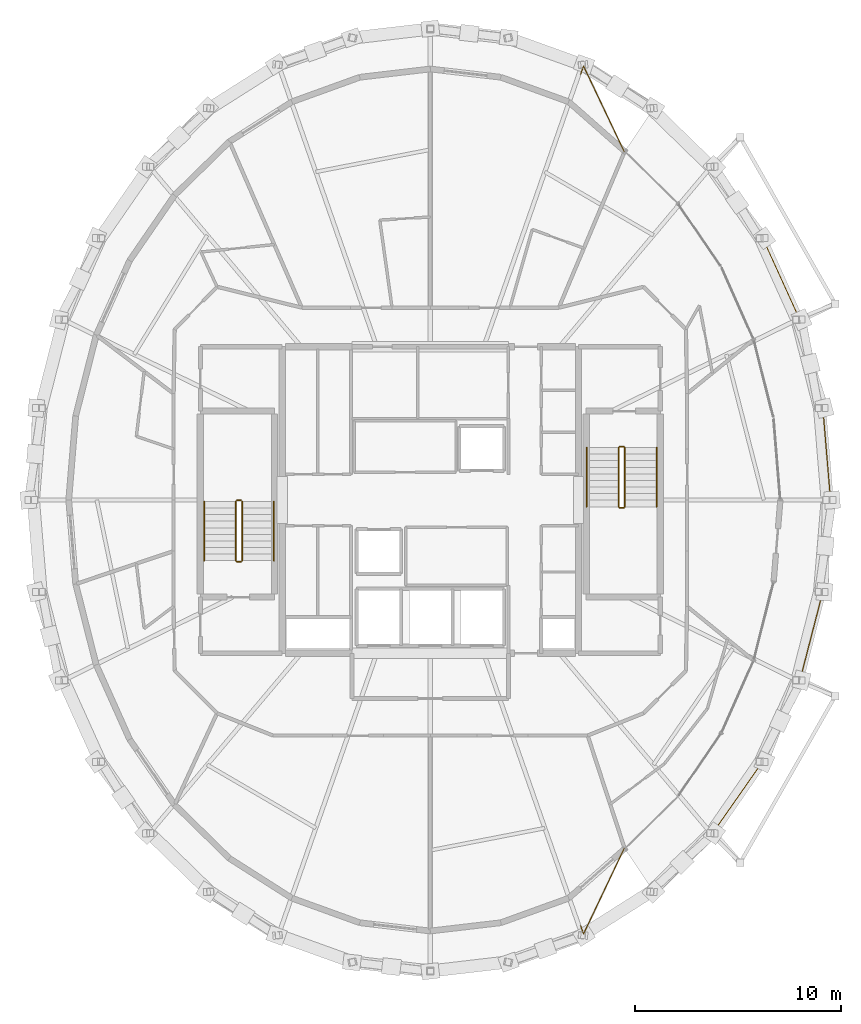
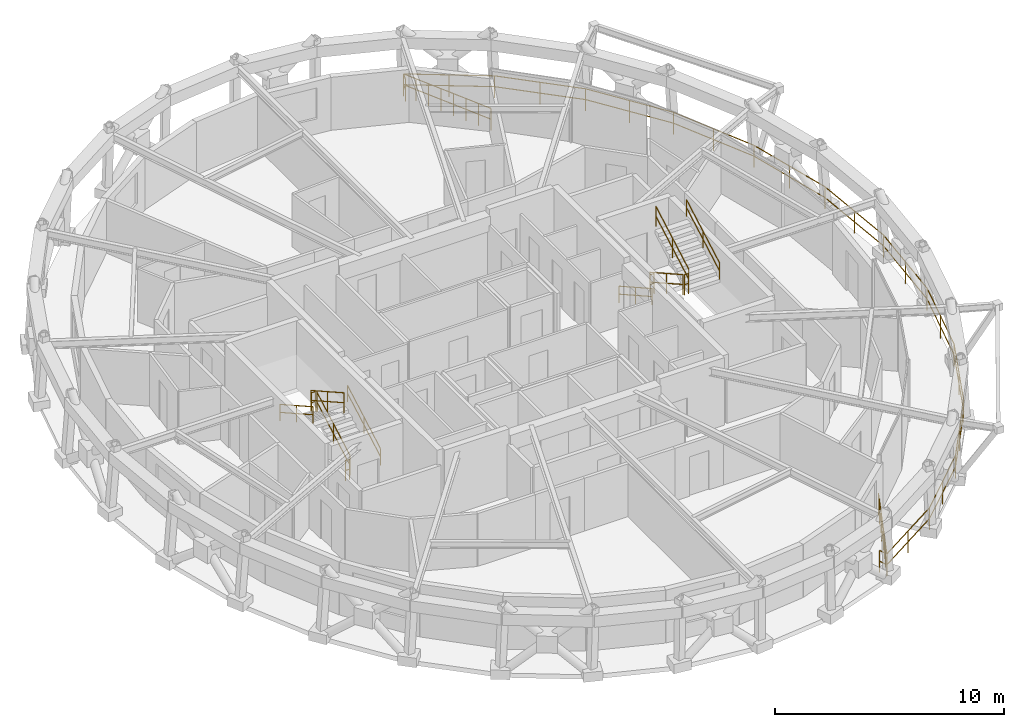
# One storey, part 14 of 14: 15 railings.
"""IFC4 building model written with IfcOpenShell, lengths in metres."""

from ifc_helpers import new_model, si_unit, direction, frame, origin, origin_2d, place, context, subcontext, project, spatial, circle, extrude, material, type_object, element, save


model = new_model("IFC4")

# Units and contexts
model_context = context("Model", 3, precision=1e-05, world=origin(), true_north=direction((0.0, 1.0)))
body_context = subcontext(model_context, "Body", "Model", "MODEL_VIEW")
ifc_project = project(units=[si_unit("LENGTHUNIT", "METRE"), si_unit("AREAUNIT", "SQUARE_METRE"), si_unit("VOLUMEUNIT", "CUBIC_METRE"), si_unit("PLANEANGLEUNIT", "RADIAN"), si_unit("MASSUNIT", "GRAM", prefix="KILO")], contexts=[model_context])

# Site, building, storey
site_placement = place(None, origin())
site = spatial("IfcSite", under=ifc_project, at=site_placement, CompositionType="ELEMENT")
building_placement = place(site_placement, origin())
building = spatial("IfcBuilding", under=site, at=building_placement, Name="Veldorina Hangang Commons", CompositionType="ELEMENT")
storey_placement = place(building_placement, frame((0.0, 0.0, 294.0)))
storey = spatial("IfcBuildingStorey", under=building, at=storey_placement, Name="L77", CompositionType="ELEMENT", Elevation=294.0)

# Railings
ifc_material_1 = material(Name="Glass Laminated Safety Balustrade", Category="glass")
railing_type_1 = type_object("IfcRailingType", Name="RL-BAL-LOGGIA", PredefinedType="BALUSTRADE", material=ifc_material_1)
railing_1_placement = place(storey_placement, frame((39.3095703125, 3.303466796875, 0.0)))
element("IfcRailing", 1, at=railing_1_placement, inside=storey, type_object=railing_type_1, Name="L77 sky-garden loggia end balustrade A", PredefinedType="BALUSTRADE", context=body_context, shape_type="SweptSolid", body=[
    extrude(circle(Radius=0.02392578125, at=origin_2d()), frame((0.0, 0.0, 1.17578125), z_axis=(0.33309376916, -0.94289370607, 0.0), x_axis=(0.94289370607, 0.33309376916, 0.0)), (0.0, 0.0, 1.0), 0.419921875),
    extrude(circle(Radius=0.02392578125, at=origin_2d()), frame((0.0, 0.0, 0.60009765625), z_axis=(0.33309376916, -0.94289370607, 0.0), x_axis=(0.94289370607, 0.33309376916, 0.0)), (0.0, 0.0, 1.0), 0.419921875),
    extrude(circle(Radius=0.02392578125, at=origin_2d()), frame((0.139892578125, -0.39599609375, 1.17578125), z_axis=(0.429562274251, 0.903037237627, 0.0), x_axis=(-0.903037237627, 0.429562274251, 0.0)), (0.0, 0.0, 1.0), 4.6201171875),
    extrude(circle(Radius=0.02392578125, at=origin_2d()), frame((0.139892578125, -0.39599609375, 0.60009765625), z_axis=(0.429562274251, 0.903037237627, 0.0), x_axis=(-0.903037237627, 0.429562274251, 0.0)), (0.0, 0.0, 1.0), 4.6201171875),
    extrude(circle(Radius=0.02099609375, at=origin_2d()), origin(), (0.0, 0.0, 1.0), 1.15185546875),
    extrude(circle(Radius=0.02099609375, at=origin_2d()), frame((0.139892578125, -0.39599609375, 0.0)), (0.0, 0.0, 1.0), 1.15185546875),
    extrude(circle(Radius=0.02099609375, at=origin_2d()), frame((0.42333984375, 0.199951171875, 0.0)), (0.0, 0.0, 1.0), 1.15185546875),
    extrude(circle(Radius=0.02099609375, at=origin_2d()), frame((0.70703125, 0.796142578125, 0.0)), (0.0, 0.0, 1.0), 1.15185546875),
    extrude(circle(Radius=0.02099609375, at=origin_2d()), frame((0.990478515625, 1.39208984375, 0.0)), (0.0, 0.0, 1.0), 1.15185546875),
    extrude(circle(Radius=0.02099609375, at=origin_2d()), frame((1.27392578125, 1.988037109375, 0.0)), (0.0, 0.0, 1.0), 1.15185546875),
    extrude(circle(Radius=0.02099609375, at=origin_2d()), frame((1.557373046875, 2.583984375, 0.0)), (0.0, 0.0, 1.0), 1.15185546875),
    extrude(circle(Radius=0.02099609375, at=origin_2d()), frame((1.841064453125, 3.18017578125, 0.0)), (0.0, 0.0, 1.0), 1.15185546875),
    extrude(circle(Radius=0.02099609375, at=origin_2d()), frame((2.12451171875, 3.776123046875, 0.0)), (0.0, 0.0, 1.0), 1.15185546875),
])
railing_2_placement = place(storey_placement, frame((39.3095703125, 44.696533203125, 0.0)))
element("IfcRailing", 2, at=railing_2_placement, inside=storey, type_object=railing_type_1, Name="L77 sky-garden loggia end balustrade B", PredefinedType="BALUSTRADE", context=body_context, shape_type="SweptSolid", body=[
    extrude(circle(Radius=0.02392578125, at=origin_2d()), frame((0.0, 0.0, 1.17578125), z_axis=(0.33309376916, 0.94289370607, 0.0), x_axis=(-0.94289370607, 0.33309376916, 0.0)), (0.0, 0.0, 1.0), 0.419921875),
    extrude(circle(Radius=0.02392578125, at=origin_2d()), frame((0.0, 0.0, 0.60009765625), z_axis=(0.33309376916, 0.94289370607, 0.0), x_axis=(-0.94289370607, 0.33309376916, 0.0)), (0.0, 0.0, 1.0), 0.419921875),
    extrude(circle(Radius=0.02392578125, at=origin_2d()), frame((0.139892578125, 0.39599609375, 1.17578125), z_axis=(0.429562274251, -0.903037237627, 0.0), x_axis=(0.903037237627, 0.429562274251, 0.0)), (0.0, 0.0, 1.0), 4.6201171875),
    extrude(circle(Radius=0.02392578125, at=origin_2d()), frame((0.139892578125, 0.39599609375, 0.60009765625), z_axis=(0.429562274251, -0.903037237627, 0.0), x_axis=(0.903037237627, 0.429562274251, 0.0)), (0.0, 0.0, 1.0), 4.6201171875),
    extrude(circle(Radius=0.02099609375, at=origin_2d()), origin(), (0.0, 0.0, 1.0), 1.15185546875),
    extrude(circle(Radius=0.02099609375, at=origin_2d()), frame((0.139892578125, 0.39599609375, 0.0)), (0.0, 0.0, 1.0), 1.15185546875),
    extrude(circle(Radius=0.02099609375, at=origin_2d()), frame((0.42333984375, -0.199951171875, 0.0)), (0.0, 0.0, 1.0), 1.15185546875),
    extrude(circle(Radius=0.02099609375, at=origin_2d()), frame((0.70703125, -0.796142578125, 0.0)), (0.0, 0.0, 1.0), 1.15185546875),
    extrude(circle(Radius=0.02099609375, at=origin_2d()), frame((0.990478515625, -1.39208984375, 0.0)), (0.0, 0.0, 1.0), 1.15185546875),
    extrude(circle(Radius=0.02099609375, at=origin_2d()), frame((1.27392578125, -1.988037109375, 0.0)), (0.0, 0.0, 1.0), 1.15185546875),
    extrude(circle(Radius=0.02099609375, at=origin_2d()), frame((1.557373046875, -2.583984375, 0.0)), (0.0, 0.0, 1.0), 1.15185546875),
    extrude(circle(Radius=0.02099609375, at=origin_2d()), frame((1.841064453125, -3.18017578125, 0.0)), (0.0, 0.0, 1.0), 1.15185546875),
    extrude(circle(Radius=0.02099609375, at=origin_2d()), frame((2.12451171875, -3.776123046875, 0.0)), (0.0, 0.0, 1.0), 1.15185546875),
])
railing_3_placement = place(storey_placement, frame((39.449462890625, 2.907470703125, 0.0)))
element("IfcRailing", 3, at=railing_3_placement, inside=storey, type_object=railing_type_1, Name="L77 sky-garden loggia outer balustrade", PredefinedType="BALUSTRADE", context=body_context, shape_type="SweptSolid", body=[
    extrude(circle(Radius=0.02392578125, at=origin_2d()), frame((0.0, 0.0, 1.17578125), z_axis=(0.847033508781, 0.531539495242, 0.0), x_axis=(-0.531539495242, 0.847033508781, 0.0)), (0.0, 0.0, 1.0), 3.97216796875),
    extrude(circle(Radius=0.02392578125, at=origin_2d()), frame((0.0, 0.0, 0.60009765625), z_axis=(0.847033508781, 0.531539495242, 0.0), x_axis=(-0.531539495242, 0.847033508781, 0.0)), (0.0, 0.0, 1.0), 3.97216796875),
    extrude(circle(Radius=0.02392578125, at=origin_2d()), frame((3.364501953125, 2.111328125, 1.17578125), z_axis=(0.720103894098, 0.693866256353, 0.0), x_axis=(-0.693866256353, 0.720103894098, 0.0)), (0.0, 0.0, 1.0), 4.09423828125),
    extrude(circle(Radius=0.02392578125, at=origin_2d()), frame((3.364501953125, 2.111328125, 0.60009765625), z_axis=(0.720103894098, 0.693866256353, 0.0), x_axis=(-0.693866256353, 0.720103894098, 0.0)), (0.0, 0.0, 1.0), 4.09423828125),
    extrude(circle(Radius=0.02392578125, at=origin_2d()), frame((6.312744140625, 4.9521484375, 1.17578125), z_axis=(0.572848968908, 0.819660941379, 0.0), x_axis=(-0.819660941379, 0.572848968908, 0.0)), (0.0, 0.0, 1.0), 4.221923828125),
    extrude(circle(Radius=0.02392578125, at=origin_2d()), frame((6.312744140625, 4.9521484375, 0.60009765625), z_axis=(0.572848968908, 0.819660941379, 0.0), x_axis=(-0.819660941379, 0.572848968908, 0.0)), (0.0, 0.0, 1.0), 4.221923828125),
    extrude(circle(Radius=0.02392578125, at=origin_2d()), frame((8.731201171875, 8.41259765625, 1.17578125), z_axis=(0.414214369942, 0.910179353607, 0.0), x_axis=(-0.910179353607, 0.414214369942, 0.0)), (0.0, 0.0, 1.0), 4.336181640625),
    extrude(circle(Radius=0.02392578125, at=origin_2d()), frame((8.731201171875, 8.41259765625, 0.60009765625), z_axis=(0.414214369942, 0.910179353607, 0.0), x_axis=(-0.910179353607, 0.414214369942, 0.0)), (0.0, 0.0, 1.0), 4.336181640625),
    extrude(circle(Radius=0.02392578125, at=origin_2d()), frame((10.52734375, 12.359375, 1.17578125), z_axis=(0.250101761387, 0.96821955617, 0.0), x_axis=(-0.96821955617, 0.250101761387, 0.0)), (0.0, 0.0, 1.0), 4.422119140625),
    extrude(circle(Radius=0.02392578125, at=origin_2d()), frame((10.52734375, 12.359375, 0.60009765625), z_axis=(0.250101761387, 0.96821955617, 0.0), x_axis=(-0.96821955617, 0.250101761387, 0.0)), (0.0, 0.0, 1.0), 4.422119140625),
    extrude(circle(Radius=0.02392578125, at=origin_2d()), frame((11.63330078125, 16.640869140625, 1.17578125), z_axis=(0.083561070754, 0.996502658027, 0.0), x_axis=(-0.996502658027, 0.083561070754, 0.0)), (0.0, 0.0, 1.0), 4.46728515625),
    extrude(circle(Radius=0.02392578125, at=origin_2d()), frame((11.63330078125, 16.640869140625, 0.60009765625), z_axis=(0.083561070754, 0.996502658027, 0.0), x_axis=(-0.996502658027, 0.083561070754, 0.0)), (0.0, 0.0, 1.0), 4.46728515625),
    extrude(circle(Radius=0.02392578125, at=origin_2d()), frame((12.006591796875, 21.092529296875, 1.17578125), z_axis=(-0.083561070754, 0.996502658027, 0.0), x_axis=(-0.996502658027, -0.083561070754, 0.0)), (0.0, 0.0, 1.0), 4.46728515625),
    extrude(circle(Radius=0.02392578125, at=origin_2d()), frame((12.006591796875, 21.092529296875, 0.60009765625), z_axis=(-0.083561070754, 0.996502658027, 0.0), x_axis=(-0.996502658027, -0.083561070754, 0.0)), (0.0, 0.0, 1.0), 4.46728515625),
    extrude(circle(Radius=0.02392578125, at=origin_2d()), frame((11.63330078125, 25.544189453125, 1.17578125), z_axis=(-0.250101761387, 0.96821955617, 0.0), x_axis=(-0.96821955617, -0.250101761387, 0.0)), (0.0, 0.0, 1.0), 4.422119140625),
    extrude(circle(Radius=0.02392578125, at=origin_2d()), frame((11.63330078125, 25.544189453125, 0.60009765625), z_axis=(-0.250101761387, 0.96821955617, 0.0), x_axis=(-0.96821955617, -0.250101761387, 0.0)), (0.0, 0.0, 1.0), 4.422119140625),
    extrude(circle(Radius=0.02392578125, at=origin_2d()), frame((10.52734375, 29.82568359375, 1.17578125), z_axis=(-0.414214369942, 0.910179353607, 0.0), x_axis=(-0.910179353607, -0.414214369942, 0.0)), (0.0, 0.0, 1.0), 4.336181640625),
    extrude(circle(Radius=0.02392578125, at=origin_2d()), frame((10.52734375, 29.82568359375, 0.60009765625), z_axis=(-0.414214369942, 0.910179353607, 0.0), x_axis=(-0.910179353607, -0.414214369942, 0.0)), (0.0, 0.0, 1.0), 4.336181640625),
    extrude(circle(Radius=0.02392578125, at=origin_2d()), frame((8.731201171875, 33.7724609375, 1.17578125), z_axis=(-0.572848968908, 0.819660941379, 0.0), x_axis=(-0.819660941379, -0.572848968908, 0.0)), (0.0, 0.0, 1.0), 4.221923828125),
    extrude(circle(Radius=0.02392578125, at=origin_2d()), frame((8.731201171875, 33.7724609375, 0.60009765625), z_axis=(-0.572848968908, 0.819660941379, 0.0), x_axis=(-0.819660941379, -0.572848968908, 0.0)), (0.0, 0.0, 1.0), 4.221923828125),
    extrude(circle(Radius=0.02392578125, at=origin_2d()), frame((6.312744140625, 37.23291015625, 1.17578125), z_axis=(-0.720103894098, 0.693866256353, 0.0), x_axis=(-0.693866256353, -0.720103894098, 0.0)), (0.0, 0.0, 1.0), 4.09423828125),
    extrude(circle(Radius=0.02392578125, at=origin_2d()), frame((6.312744140625, 37.23291015625, 0.60009765625), z_axis=(-0.720103894098, 0.693866256353, 0.0), x_axis=(-0.693866256353, -0.720103894098, 0.0)), (0.0, 0.0, 1.0), 4.09423828125),
    extrude(circle(Radius=0.02392578125, at=origin_2d()), frame((3.364501953125, 40.07373046875, 1.17578125), z_axis=(-0.847033508781, 0.531539495242, 0.0), x_axis=(-0.531539495242, -0.847033508781, 0.0)), (0.0, 0.0, 1.0), 3.97216796875),
    extrude(circle(Radius=0.02392578125, at=origin_2d()), frame((3.364501953125, 40.07373046875, 0.60009765625), z_axis=(-0.847033508781, 0.531539495242, 0.0), x_axis=(-0.531539495242, -0.847033508781, 0.0)), (0.0, 0.0, 1.0), 3.97216796875),
    extrude(circle(Radius=0.02099609375, at=origin_2d()), origin(), (0.0, 0.0, 1.0), 1.15185546875),
    extrude(circle(Radius=0.02099609375, at=origin_2d()), frame((1.68212890625, 1.0556640625, 0.0)), (0.0, 0.0, 1.0), 1.15185546875),
    extrude(circle(Radius=0.02099609375, at=origin_2d()), frame((3.364501953125, 2.111328125, 0.0)), (0.0, 0.0, 1.0), 1.15185546875),
    extrude(circle(Radius=0.02099609375, at=origin_2d()), frame((4.838623046875, 3.53173828125, 0.0)), (0.0, 0.0, 1.0), 1.15185546875),
    extrude(circle(Radius=0.02099609375, at=origin_2d()), frame((6.312744140625, 4.9521484375, 0.0)), (0.0, 0.0, 1.0), 1.15185546875),
    extrude(circle(Radius=0.02099609375, at=origin_2d()), frame((7.52197265625, 6.682373046875, 0.0)), (0.0, 0.0, 1.0), 1.15185546875),
    extrude(circle(Radius=0.02099609375, at=origin_2d()), frame((8.731201171875, 8.41259765625, 0.0)), (0.0, 0.0, 1.0), 1.15185546875),
    extrude(circle(Radius=0.02099609375, at=origin_2d()), frame((9.62939453125, 10.385986328125, 0.0)), (0.0, 0.0, 1.0), 1.15185546875),
    extrude(circle(Radius=0.02099609375, at=origin_2d()), frame((10.52734375, 12.359375, 0.0)), (0.0, 0.0, 1.0), 1.15185546875),
    extrude(circle(Radius=0.02099609375, at=origin_2d()), frame((11.080322265625, 14.5, 0.0)), (0.0, 0.0, 1.0), 1.15185546875),
    extrude(circle(Radius=0.02099609375, at=origin_2d()), frame((11.63330078125, 16.640869140625, 0.0)), (0.0, 0.0, 1.0), 1.15185546875),
    extrude(circle(Radius=0.02099609375, at=origin_2d()), frame((11.81982421875, 18.86669921875, 0.0)), (0.0, 0.0, 1.0), 1.15185546875),
    extrude(circle(Radius=0.02099609375, at=origin_2d()), frame((12.006591796875, 21.092529296875, 0.0)), (0.0, 0.0, 1.0), 1.15185546875),
    extrude(circle(Radius=0.02099609375, at=origin_2d()), frame((11.81982421875, 23.318359375, 0.0)), (0.0, 0.0, 1.0), 1.15185546875),
    extrude(circle(Radius=0.02099609375, at=origin_2d()), frame((11.63330078125, 25.544189453125, 0.0)), (0.0, 0.0, 1.0), 1.15185546875),
    extrude(circle(Radius=0.02099609375, at=origin_2d()), frame((11.080322265625, 27.68505859375, 0.0)), (0.0, 0.0, 1.0), 1.15185546875),
    extrude(circle(Radius=0.02099609375, at=origin_2d()), frame((10.52734375, 29.82568359375, 0.0)), (0.0, 0.0, 1.0), 1.15185546875),
    extrude(circle(Radius=0.02099609375, at=origin_2d()), frame((9.62939453125, 31.799072265625, 0.0)), (0.0, 0.0, 1.0), 1.15185546875),
    extrude(circle(Radius=0.02099609375, at=origin_2d()), frame((8.731201171875, 33.7724609375, 0.0)), (0.0, 0.0, 1.0), 1.15185546875),
    extrude(circle(Radius=0.02099609375, at=origin_2d()), frame((7.52197265625, 35.502685546875, 0.0)), (0.0, 0.0, 1.0), 1.15185546875),
    extrude(circle(Radius=0.02099609375, at=origin_2d()), frame((6.312744140625, 37.23291015625, 0.0)), (0.0, 0.0, 1.0), 1.15185546875),
    extrude(circle(Radius=0.02099609375, at=origin_2d()), frame((4.838623046875, 38.6533203125, 0.0)), (0.0, 0.0, 1.0), 1.15185546875),
    extrude(circle(Radius=0.02099609375, at=origin_2d()), frame((3.364501953125, 40.07373046875, 0.0)), (0.0, 0.0, 1.0), 1.15185546875),
    extrude(circle(Radius=0.02099609375, at=origin_2d()), frame((1.68212890625, 41.12939453125, 0.0)), (0.0, 0.0, 1.0), 1.15185546875),
    extrude(circle(Radius=0.02099609375, at=origin_2d()), frame((0.0, 42.18505859375, 0.0)), (0.0, 0.0, 1.0), 1.15185546875),
])
ifc_material_2 = material(Name="Steel Painted Balustrade", Category="steel")
railing_type_2 = type_object("IfcRailingType", Name="RL-GRD-STAIR", PredefinedType="GUARDRAIL", material=ifc_material_2)
railing_4_placement = place(storey_placement, frame((22.85009765625, 21.050048828125, 0.179931640625)))
element("IfcRailing", 4, at=railing_4_placement, inside=storey, type_object=railing_type_2, Name="L77 ST-1 stair guard 1", PredefinedType="GUARDRAIL", context=body_context, shape_type="SweptSolid", body=[
    extrude(circle(Radius=0.02392578125, at=origin_2d()), frame((0.0, 0.0, 1.076171875), z_axis=(0.0, 0.87155185771, 0.490303333991), x_axis=(-1.0, 0.0, 0.0)), (0.0, 0.0, 1.0), 3.30419921875),
    extrude(circle(Radius=0.02392578125, at=origin_2d()), frame((0.0, 0.0, 0.550048828125), z_axis=(0.0, 0.87155185771, 0.490303333991), x_axis=(-1.0, 0.0, 0.0)), (0.0, 0.0, 1.0), 3.30419921875),
    extrude(circle(Radius=0.02099609375, at=origin_2d()), origin(), (0.0, 0.0, 1.0), 1.052001953125),
    extrude(circle(Radius=0.02099609375, at=origin_2d()), frame((0.0, 1.43994140625, 0.81005859375)), (0.0, 0.0, 1.0), 1.052001953125),
    extrude(circle(Radius=0.02099609375, at=origin_2d()), frame((0.0, 2.8798828125, 1.6201171875)), (0.0, 0.0, 1.0), 1.052001953125),
])
railing_5_placement = place(storey_placement, frame((22.800048828125, 23.97998046875, 1.800048828125)))
element("IfcRailing", 5, at=railing_5_placement, inside=storey, type_object=railing_type_2, Name="L77 ST-1 stair guard 2", PredefinedType="GUARDRAIL", context=body_context, shape_type="SweptSolid", body=[
    extrude(circle(Radius=0.02392578125, at=origin_2d()), frame((0.0, 0.0, 1.076171875), z_axis=(-1.0, 0.0, 0.0), x_axis=(0.0, -1.0, 0.0)), (0.0, 0.0, 1.0), 0.199951171875),
    extrude(circle(Radius=0.02392578125, at=origin_2d()), frame((0.0, 0.0, 0.550048828125), z_axis=(-1.0, 0.0, 0.0), x_axis=(0.0, -1.0, 0.0)), (0.0, 0.0, 1.0), 0.199951171875),
    extrude(circle(Radius=0.02099609375, at=origin_2d()), origin(), (0.0, 0.0, 1.0), 1.052001953125),
    extrude(circle(Radius=0.02099609375, at=origin_2d()), frame((-0.199951171875, 0.0, 0.0)), (0.0, 0.0, 1.0), 1.052001953125),
])
railing_6_placement = place(storey_placement, frame((22.550048828125, 23.929931640625, 1.97998046875)))
element("IfcRailing", 6, at=railing_6_placement, inside=storey, type_object=railing_type_2, Name="L77 ST-1 stair guard 3", PredefinedType="GUARDRAIL", context=body_context, shape_type="SweptSolid", body=[
    extrude(circle(Radius=0.02392578125, at=origin_2d()), frame((0.0, 0.0, 1.076171875), z_axis=(0.0, -0.87155185771, 0.490303333991), x_axis=(1.0, 0.0, 0.0)), (0.0, 0.0, 1.0), 3.30419921875),
    extrude(circle(Radius=0.02392578125, at=origin_2d()), frame((0.0, 0.0, 0.550048828125), z_axis=(0.0, -0.87155185771, 0.490303333991), x_axis=(1.0, 0.0, 0.0)), (0.0, 0.0, 1.0), 3.30419921875),
    extrude(circle(Radius=0.02099609375, at=origin_2d()), origin(), (0.0, 0.0, 1.0), 1.052001953125),
    extrude(circle(Radius=0.02099609375, at=origin_2d()), frame((0.0, -1.43994140625, 0.81005859375)), (0.0, 0.0, 1.0), 1.052001953125),
    extrude(circle(Radius=0.02099609375, at=origin_2d()), frame((0.0, -2.8798828125, 1.6201171875)), (0.0, 0.0, 1.0), 1.052001953125),
])
railing_7_placement = place(storey_placement, frame((22.800048828125, 21.0, 0.0)))
element("IfcRailing", 7, at=railing_7_placement, inside=storey, type_object=railing_type_2, Name="L77 ST-1 stair guard 4", PredefinedType="GUARDRAIL", context=body_context, shape_type="SweptSolid", body=[
    extrude(circle(Radius=0.02392578125, at=origin_2d()), frame((0.0, 0.0, 1.076171875), z_axis=(-1.0, 0.0, 0.0), x_axis=(0.0, -1.0, 0.0)), (0.0, 0.0, 1.0), 0.199951171875),
    extrude(circle(Radius=0.02392578125, at=origin_2d()), frame((0.0, 0.0, 0.550048828125), z_axis=(-1.0, 0.0, 0.0), x_axis=(0.0, -1.0, 0.0)), (0.0, 0.0, 1.0), 0.199951171875),
    extrude(circle(Radius=0.02099609375, at=origin_2d()), origin(), (0.0, 0.0, 1.0), 1.052001953125),
    extrude(circle(Radius=0.02099609375, at=origin_2d()), frame((-0.199951171875, 0.0, 0.0)), (0.0, 0.0, 1.0), 1.052001953125),
])
railing_8_placement = place(storey_placement, frame((41.14990234375, 26.550048828125, 0.179931640625)))
element("IfcRailing", 8, at=railing_8_placement, inside=storey, type_object=railing_type_2, Name="L77 ST-2 stair guard 1", PredefinedType="GUARDRAIL", context=body_context, shape_type="SweptSolid", body=[
    extrude(circle(Radius=0.02392578125, at=origin_2d()), frame((0.0, 0.0, 1.076171875), z_axis=(0.0, -0.871569617843, 0.490271762652), x_axis=(1.0, 0.0, 0.0)), (0.0, 0.0, 1.0), 3.304443359375),
    extrude(circle(Radius=0.02392578125, at=origin_2d()), frame((0.0, 0.0, 0.550048828125), z_axis=(0.0, -0.871569617843, 0.490271762652), x_axis=(1.0, 0.0, 0.0)), (0.0, 0.0, 1.0), 3.304443359375),
    extrude(circle(Radius=0.02099609375, at=origin_2d()), origin(), (0.0, 0.0, 1.0), 1.052001953125),
    extrude(circle(Radius=0.02099609375, at=origin_2d()), frame((0.0, -1.43994140625, 0.81005859375)), (0.0, 0.0, 1.0), 1.052001953125),
    extrude(circle(Radius=0.02099609375, at=origin_2d()), frame((0.0, -2.880126953125, 1.6201171875)), (0.0, 0.0, 1.0), 1.052001953125),
])
railing_9_placement = place(storey_placement, frame((41.199951171875, 23.6201171875, 1.800048828125)))
element("IfcRailing", 9, at=railing_9_placement, inside=storey, type_object=railing_type_2, Name="L77 ST-2 stair guard 2", PredefinedType="GUARDRAIL", context=body_context, shape_type="SweptSolid", body=[
    extrude(circle(Radius=0.02392578125, at=origin_2d()), frame((0.0, 0.0, 1.076171875), z_axis=(1.0, 0.0, 0.0), x_axis=(0.0, 1.0, 0.0)), (0.0, 0.0, 1.0), 0.199951171875),
    extrude(circle(Radius=0.02392578125, at=origin_2d()), frame((0.0, 0.0, 0.550048828125), z_axis=(1.0, 0.0, 0.0), x_axis=(0.0, 1.0, 0.0)), (0.0, 0.0, 1.0), 0.199951171875),
    extrude(circle(Radius=0.02099609375, at=origin_2d()), origin(), (0.0, 0.0, 1.0), 1.052001953125),
    extrude(circle(Radius=0.02099609375, at=origin_2d()), frame((0.199951171875, 0.0, 0.0)), (0.0, 0.0, 1.0), 1.052001953125),
])
railing_10_placement = place(storey_placement, frame((41.449951171875, 23.669921875, 1.97998046875)))
element("IfcRailing", 10, at=railing_10_placement, inside=storey, type_object=railing_type_2, Name="L77 ST-2 stair guard 3", PredefinedType="GUARDRAIL", context=body_context, shape_type="SweptSolid", body=[
    extrude(circle(Radius=0.02392578125, at=origin_2d()), frame((0.0, 0.0, 1.076171875), z_axis=(0.0, 0.871569617843, 0.490271762652), x_axis=(-1.0, 0.0, 0.0)), (0.0, 0.0, 1.0), 3.304443359375),
    extrude(circle(Radius=0.02392578125, at=origin_2d()), frame((0.0, 0.0, 0.550048828125), z_axis=(0.0, 0.871569617843, 0.490271762652), x_axis=(-1.0, 0.0, 0.0)), (0.0, 0.0, 1.0), 3.304443359375),
    extrude(circle(Radius=0.02099609375, at=origin_2d()), origin(), (0.0, 0.0, 1.0), 1.052001953125),
    extrude(circle(Radius=0.02099609375, at=origin_2d()), frame((0.0, 1.43994140625, 0.81005859375)), (0.0, 0.0, 1.0), 1.052001953125),
    extrude(circle(Radius=0.02099609375, at=origin_2d()), frame((0.0, 2.880126953125, 1.6201171875)), (0.0, 0.0, 1.0), 1.052001953125),
])
railing_11_placement = place(storey_placement, frame((41.199951171875, 26.60009765625, 0.0)))
element("IfcRailing", 11, at=railing_11_placement, inside=storey, type_object=railing_type_2, Name="L77 ST-2 stair guard 4", PredefinedType="GUARDRAIL", context=body_context, shape_type="SweptSolid", body=[
    extrude(circle(Radius=0.02392578125, at=origin_2d()), frame((0.0, 0.0, 1.076171875), z_axis=(1.0, 0.0, 0.0), x_axis=(0.0, 1.0, 0.0)), (0.0, 0.0, 1.0), 0.199951171875),
    extrude(circle(Radius=0.02392578125, at=origin_2d()), frame((0.0, 0.0, 0.550048828125), z_axis=(1.0, 0.0, 0.0), x_axis=(0.0, 1.0, 0.0)), (0.0, 0.0, 1.0), 0.199951171875),
    extrude(circle(Radius=0.02099609375, at=origin_2d()), origin(), (0.0, 0.0, 1.0), 1.052001953125),
    extrude(circle(Radius=0.02099609375, at=origin_2d()), frame((0.199951171875, 0.0, 0.0)), (0.0, 0.0, 1.0), 1.052001953125),
])
ifc_material_3 = material(Name="Stainless Steel Brushed 316", Category="steel")
railing_type_3 = type_object("IfcRailingType", Name="RL-HND-STAIR", PredefinedType="HANDRAIL", material=ifc_material_3)
railing_12_placement = place(storey_placement, frame((24.39990234375, 21.050048828125, 0.179931640625)))
element("IfcRailing", 12, at=railing_12_placement, inside=storey, type_object=railing_type_3, Name="L77 ST-1 stair handrail 1", PredefinedType="HANDRAIL", context=body_context, shape_type="SweptSolid", body=[
    extrude(circle(Radius=0.02392578125, at=origin_2d()), frame((0.0, 0.0, 0.8759765625), z_axis=(0.0, 0.87155185771, 0.490303333991), x_axis=(-1.0, 0.0, 0.0)), (0.0, 0.0, 1.0), 3.30419921875),
    extrude(circle(Radius=0.02392578125, at=origin_2d()), frame((0.0, 0.0, 0.449951171875), z_axis=(0.0, 0.87155185771, 0.490303333991), x_axis=(-1.0, 0.0, 0.0)), (0.0, 0.0, 1.0), 3.30419921875),
    extrude(circle(Radius=0.02099609375, at=origin_2d()), origin(), (0.0, 0.0, 1.0), 0.851806640625),
    extrude(circle(Radius=0.02099609375, at=origin_2d()), frame((0.0, 1.43994140625, 0.81005859375)), (0.0, 0.0, 1.0), 0.851806640625),
    extrude(circle(Radius=0.02099609375, at=origin_2d()), frame((0.0, 2.8798828125, 1.6201171875)), (0.0, 0.0, 1.0), 0.851806640625),
])
railing_13_placement = place(storey_placement, frame((21.0, 23.929931640625, 1.97998046875)))
element("IfcRailing", 13, at=railing_13_placement, inside=storey, type_object=railing_type_3, Name="L77 ST-1 stair handrail 2", PredefinedType="HANDRAIL", context=body_context, shape_type="SweptSolid", body=[
    extrude(circle(Radius=0.02392578125, at=origin_2d()), frame((0.0, 0.0, 0.8759765625), z_axis=(0.0, -0.87155185771, 0.490303333991), x_axis=(1.0, 0.0, 0.0)), (0.0, 0.0, 1.0), 3.30419921875),
    extrude(circle(Radius=0.02392578125, at=origin_2d()), frame((0.0, 0.0, 0.449951171875), z_axis=(0.0, -0.87155185771, 0.490303333991), x_axis=(1.0, 0.0, 0.0)), (0.0, 0.0, 1.0), 3.30419921875),
    extrude(circle(Radius=0.02099609375, at=origin_2d()), origin(), (0.0, 0.0, 1.0), 0.851806640625),
    extrude(circle(Radius=0.02099609375, at=origin_2d()), frame((0.0, -1.43994140625, 0.81005859375)), (0.0, 0.0, 1.0), 0.851806640625),
    extrude(circle(Radius=0.02099609375, at=origin_2d()), frame((0.0, -2.8798828125, 1.6201171875)), (0.0, 0.0, 1.0), 0.851806640625),
])
railing_14_placement = place(storey_placement, frame((39.60009765625, 26.550048828125, 0.179931640625)))
element("IfcRailing", 14, at=railing_14_placement, inside=storey, type_object=railing_type_3, Name="L77 ST-2 stair handrail 1", PredefinedType="HANDRAIL", context=body_context, shape_type="SweptSolid", body=[
    extrude(circle(Radius=0.02392578125, at=origin_2d()), frame((0.0, 0.0, 0.8759765625), z_axis=(0.0, -0.871569617843, 0.490271762652), x_axis=(1.0, 0.0, 0.0)), (0.0, 0.0, 1.0), 3.304443359375),
    extrude(circle(Radius=0.02392578125, at=origin_2d()), frame((0.0, 0.0, 0.449951171875), z_axis=(0.0, -0.871569617843, 0.490271762652), x_axis=(1.0, 0.0, 0.0)), (0.0, 0.0, 1.0), 3.304443359375),
    extrude(circle(Radius=0.02099609375, at=origin_2d()), origin(), (0.0, 0.0, 1.0), 0.851806640625),
    extrude(circle(Radius=0.02099609375, at=origin_2d()), frame((0.0, -1.43994140625, 0.81005859375)), (0.0, 0.0, 1.0), 0.851806640625),
    extrude(circle(Radius=0.02099609375, at=origin_2d()), frame((0.0, -2.880126953125, 1.6201171875)), (0.0, 0.0, 1.0), 0.851806640625),
])
railing_15_placement = place(storey_placement, frame((43.0, 23.669921875, 1.97998046875)))
element("IfcRailing", 15, at=railing_15_placement, inside=storey, type_object=railing_type_3, Name="L77 ST-2 stair handrail 2", PredefinedType="HANDRAIL", context=body_context, shape_type="SweptSolid", body=[
    extrude(circle(Radius=0.02392578125, at=origin_2d()), frame((0.0, 0.0, 0.8759765625), z_axis=(0.0, 0.871569617843, 0.490271762652), x_axis=(-1.0, 0.0, 0.0)), (0.0, 0.0, 1.0), 3.304443359375),
    extrude(circle(Radius=0.02392578125, at=origin_2d()), frame((0.0, 0.0, 0.449951171875), z_axis=(0.0, 0.871569617843, 0.490271762652), x_axis=(-1.0, 0.0, 0.0)), (0.0, 0.0, 1.0), 3.304443359375),
    extrude(circle(Radius=0.02099609375, at=origin_2d()), origin(), (0.0, 0.0, 1.0), 0.851806640625),
    extrude(circle(Radius=0.02099609375, at=origin_2d()), frame((0.0, 1.43994140625, 0.81005859375)), (0.0, 0.0, 1.0), 0.851806640625),
    extrude(circle(Radius=0.02099609375, at=origin_2d()), frame((0.0, 2.880126953125, 1.6201171875)), (0.0, 0.0, 1.0), 0.851806640625),
])

save(model, "model.ifc")
